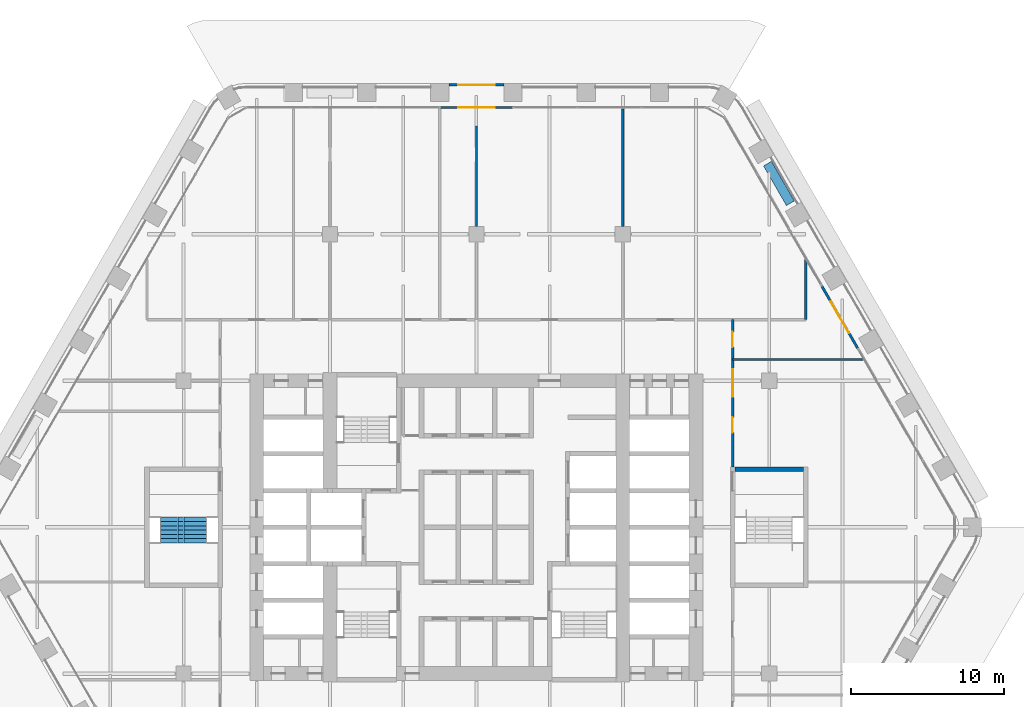
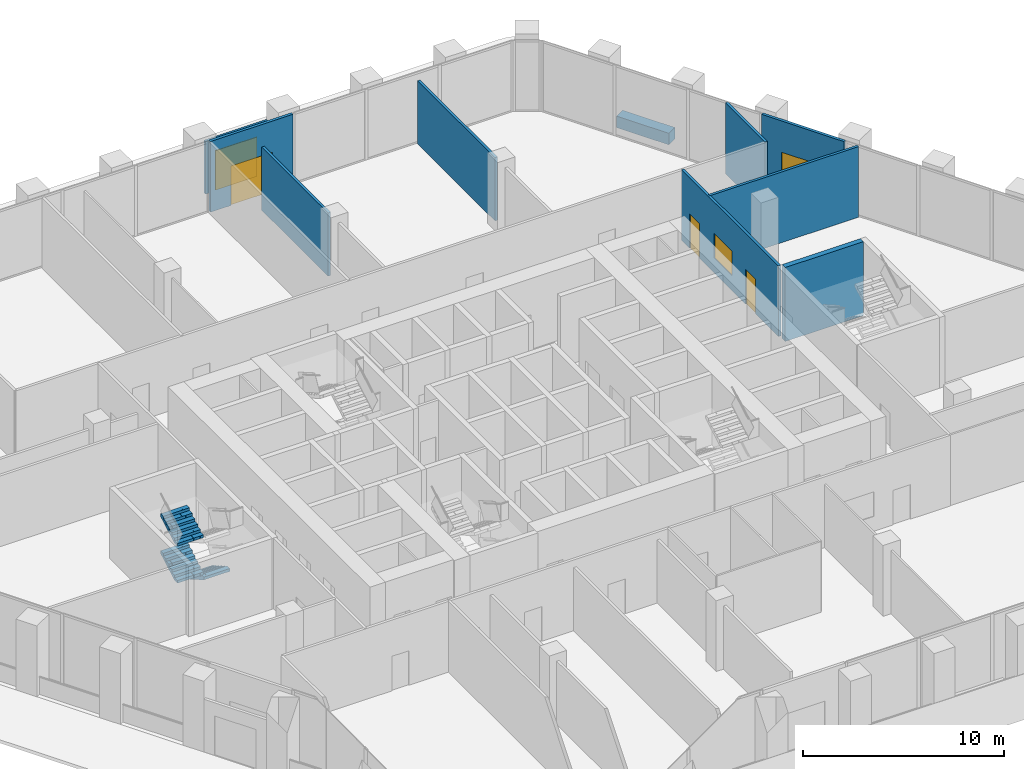
# One storey, part 17 of 23: 10 walls, 5 doors, 3 stair flights, 1 window, 6 openings, 1 element without a shape of its own.
"""IFC4 building model written with IfcOpenShell, lengths in metres."""

from ifc_helpers import new_model, si_unit, direction, frame, frame_2d, origin, place, context, subcontext, project, spatial, polyline, rectangle, outline, extrude, material, layer, layer_set, type_object, element, fill, aggregate, save


model = new_model("IFC4")

# Units and contexts
model_context = context("Model", 3, precision=1e-05, world=origin(), true_north=direction((0.0, 1.0)))
body_context = subcontext(model_context, "Body", "Model", "MODEL_VIEW")
ifc_project = project(units=[si_unit("LENGTHUNIT", "METRE"), si_unit("AREAUNIT", "SQUARE_METRE"), si_unit("VOLUMEUNIT", "CUBIC_METRE"), si_unit("PLANEANGLEUNIT", "RADIAN"), si_unit("MASSUNIT", "GRAM", prefix="KILO")], contexts=[model_context])

# Site, building, storey
site_placement = place(None, origin())
site = spatial("IfcSite", under=ifc_project, at=site_placement, CompositionType="ELEMENT")
building_placement = place(site_placement, origin())
building = spatial("IfcBuilding", under=site, at=building_placement, Name="Kolab Exchange Tower", CompositionType="ELEMENT")
storey_placement = place(building_placement, frame((0.0, 0.0, 77.89990234375)))
storey = spatial("IfcBuildingStorey", under=building, at=storey_placement, Name="L14", CompositionType="ELEMENT", Elevation=77.89990234375)

# Wall, opening, door
ifc_material_1 = material(Name="Aluminium EN AW-6063 T6", Category="aluminium")
ifc_layer_1 = layer(ifc_material_1, 0.159912109375)
ifc_layer_set_1 = layer_set([ifc_layer_1], Name="Aluminium EN AW-6063 T6")
wall_type_1 = type_object("IfcWallType", Name="DOOR SURROUND WALL 160 ALUMINIUM FRAMED", PredefinedType="PARTITIONING", material=ifc_layer_set_1)
wall_1_placement = place(storey_placement, frame((-2.3701171875, 27.5185546875, 0.0), z_axis=(0.0, 0.0, 1.0), x_axis=(1.0, 0.0, 0.0)))
wall_1 = element("IfcWall", 1, at=wall_1_placement, inside=storey, type_object=wall_type_1, Name="Door surround wall", PredefinedType="PARTITIONING", context=body_context, shape_type="SweptSolid", body=[
    extrude(rectangle(XDim=4.740234375, YDim=0.159912109375, at=frame_2d((2.3701171875, 0.0))), origin(), (0.0, 0.0, 1.0), 4.300048828125),
])
opening_1_placement = place(wall_1_placement, frame((1.169921875, 0.0, 0.0)))
opening_1 = element("IfcOpeningElement", 2, at=opening_1_placement, cuts=wall_1, Name="Opening GD1-034", PredefinedType="OPENING", context=body_context, shape_type="SweptSolid", body=[
    extrude(rectangle(XDim=2.39990234375, YDim=2.39990234375, at=frame_2d((1.199951171875, 1.199951171875))), frame((0.0, 0.08984375, 0.0), z_axis=(0.0, -1.0, 0.0), x_axis=(1.0, 0.0, 0.0)), (0.0, 0.0, 1.0), 0.179931640625),
])
door_type_1 = type_object("IfcDoorType", Name="LOGGIA SLIDING GLASS DOOR 2400 X 2400", OperationType="DOUBLE_DOOR_SINGLE_SWING", PredefinedType="DOOR", material=ifc_material_1)
door_1_placement = place(opening_1_placement, origin())
door_1 = element("IfcDoor", 3, at=door_1_placement, inside=storey, type_object=door_type_1, Name="Loggia door", OperationType="DOUBLE_DOOR_SLIDING", OverallHeight=2.39990234375, OverallWidth=2.39990234375, PredefinedType="DOOR", context=body_context, shape_type="SweptSolid", body=[
    extrude(rectangle(XDim=2.39990234375, YDim=2.39990234375, at=frame_2d((1.199951171875, 1.199951171875))), frame((0.0, 0.02490234375, 0.0), z_axis=(0.0, -1.0, 0.0), x_axis=(1.0, 0.0, 0.0)), (0.0, 0.0, 1.0), 0.050048828125),
])
fill(opening_1, door_1)

wall_2_placement = place(storey_placement, frame((22.646728515625, 15.811767578125, 0.0), z_axis=(0.0, 0.0, 1.0), x_axis=(0.499978080042, -0.866038058908, 0.0)))
wall_2 = element("IfcWall", 4, at=wall_2_placement, inside=storey, type_object=wall_type_1, Name="Door surround wall", PredefinedType="PARTITIONING", context=body_context, shape_type="SweptSolid", body=[
    extrude(rectangle(XDim=4.739990234375, YDim=0.159912109375, at=frame_2d((2.3701171875, 0.0))), origin(), (0.0, 0.0, 1.0), 4.300048828125),
])
opening_2_placement = place(wall_2_placement, frame((1.169921875, 0.0, 0.0)))
opening_2 = element("IfcOpeningElement", 5, at=opening_2_placement, cuts=wall_2, Name="Opening GD1-035", PredefinedType="OPENING", context=body_context, shape_type="SweptSolid", body=[
    extrude(rectangle(XDim=2.39990234375, YDim=2.39990234375, at=frame_2d((1.199951171875, 1.199951171875))), frame((0.0, 0.08984375, 0.0), z_axis=(0.0, -1.0, 0.0), x_axis=(1.0, 0.0, 0.0)), (0.0, 0.0, 1.0), 0.179931640625),
])
door_2_placement = place(opening_2_placement, origin())
door_2 = element("IfcDoor", 6, at=door_2_placement, inside=storey, type_object=door_type_1, Name="Loggia door", OperationType="DOUBLE_DOOR_SLIDING", OverallHeight=2.39990234375, OverallWidth=2.39990234375, PredefinedType="DOOR", context=body_context, shape_type="SweptSolid", body=[
    extrude(rectangle(XDim=2.39990234375, YDim=2.39990234375, at=frame_2d((1.199951171875, 1.199951171875))), frame((0.0, 0.02490234375, 0.0), z_axis=(0.0, -1.0, 0.0), x_axis=(1.0, 0.0, 0.0)), (0.0, 0.0, 1.0), 0.050048828125),
])
fill(opening_2, door_2)

wall_3_placement = place(storey_placement, frame((-1.798095703125, 28.99853515625, 0.0), z_axis=(0.0, 0.0, 1.0), x_axis=(1.0, 0.0, 0.0)))
wall_3 = element("IfcWall", 7, at=wall_3_placement, inside=storey, type_object=wall_type_1, Name="Door surround wall", PredefinedType="PARTITIONING", context=body_context, shape_type="SweptSolid", body=[
    extrude(rectangle(XDim=3.59619140625, YDim=0.159912109375, at=frame_2d((1.798095703125, 0.0))), origin(), (0.0, 0.0, 1.0), 3.2001953125),
])
opening_3_placement = place(wall_3_placement, frame((0.597900390625, 0.0, 0.0)))
opening_3 = element("IfcOpeningElement", 8, at=opening_3_placement, cuts=wall_3, Name="Opening GD1-040", PredefinedType="OPENING", context=body_context, shape_type="SweptSolid", body=[
    extrude(rectangle(XDim=2.39990234375, YDim=2.39990234375, at=frame_2d((1.199951171875, 1.199951171875))), frame((0.0, 0.08984375, 0.0), z_axis=(0.0, -1.0, 0.0), x_axis=(1.0, 0.0, 0.0)), (0.0, 0.0, 1.0), 0.179931640625),
])
door_3_placement = place(opening_3_placement, origin())
door_3 = element("IfcDoor", 9, at=door_3_placement, inside=storey, type_object=door_type_1, Name="Terrace door", OperationType="DOUBLE_DOOR_SLIDING", OverallHeight=2.39990234375, OverallWidth=2.39990234375, PredefinedType="DOOR", context=body_context, shape_type="SweptSolid", body=[
    extrude(rectangle(XDim=2.39990234375, YDim=2.39990234375, at=frame_2d((1.199951171875, 1.199951171875))), frame((0.0, 0.02490234375, 0.0), z_axis=(0.0, -1.0, 0.0), x_axis=(1.0, 0.0, 0.0)), (0.0, 0.0, 1.0), 0.050048828125),
])
fill(opening_3, door_3)

# Wall
ifc_material_2 = material(Name="Gypsum board", Category="gypsum")
ifc_layer_2 = layer(ifc_material_2, 0.14990234375)
ifc_layer_set_2 = layer_set([ifc_layer_2], Name="Gypsum board")
wall_type_2 = type_object("IfcWallType", Name="PARTITION 150 FIRE-RATED", PredefinedType="PARTITIONING", material=ifc_layer_set_2)
wall_4_placement = place(storey_placement, frame((21.60009765625, 13.60009765625, 0.0), z_axis=(0.0, 0.0, 1.0), x_axis=(0.0, 1.0, 0.0)))
element("IfcWall", 10, at=wall_4_placement, inside=storey, type_object=wall_type_2, Name="Partition 001", PredefinedType="PARTITIONING", context=body_context, shape_type="SweptSolid", body=[
    extrude(rectangle(XDim=3.944580078125, YDim=0.14990234375, at=frame_2d((1.97216796875, 0.0))), origin(), (0.0, 0.0, 1.0), 4.300048828125),
])

# Wall, openings, doors, window
wall_5_placement = place(storey_placement, frame((16.800048828125, 3.949951171875, 0.0), z_axis=(0.0, 0.0, 1.0), x_axis=(0.0, 1.0, 0.0)))
wall_5 = element("IfcWall", 11, at=wall_5_placement, inside=storey, type_object=wall_type_2, Name="Partition 003", PredefinedType="PARTITIONING", context=body_context, shape_type="SweptSolid", body=[
    extrude(rectangle(XDim=9.650146484375, YDim=0.14990234375, at=frame_2d((4.8251953125, 0.0))), origin(), (0.0, 0.0, 1.0), 4.300048828125),
])
opening_4_placement = place(wall_5_placement, frame((2.25, 0.0, 0.0)))
opening_4 = element("IfcOpeningElement", 12, at=opening_4_placement, cuts=wall_5, Name="Opening D1-214", PredefinedType="OPENING", context=body_context, shape_type="SweptSolid", body=[
    extrude(rectangle(XDim=1.0, YDim=2.10009765625, at=frame_2d((0.5, 1.050048828125))), frame((0.0, 0.0849609375, 0.0), z_axis=(0.0, -1.0, 0.0), x_axis=(1.0, 0.0, 0.0)), (0.0, 0.0, 1.0), 0.169921875),
])
opening_5_placement = place(wall_5_placement, frame((7.85009765625, 0.0, 0.0)))
opening_5 = element("IfcOpeningElement", 13, at=opening_5_placement, cuts=wall_5, Name="Opening D1-215", PredefinedType="OPENING", context=body_context, shape_type="SweptSolid", body=[
    extrude(rectangle(XDim=1.0, YDim=2.10009765625, at=frame_2d((0.5, 1.050048828125))), frame((0.0, 0.0849609375, 0.0), z_axis=(0.0, -1.0, 0.0), x_axis=(1.0, 0.0, 0.0)), (0.0, 0.0, 1.0), 0.169921875),
])
opening_6_placement = place(wall_5_placement, frame((4.60009765625, 0.0, 0.89990234375)))
opening_6 = element("IfcOpeningElement", 14, at=opening_6_placement, cuts=wall_5, Name="Opening W1-007", PredefinedType="OPENING", context=body_context, shape_type="SweptSolid", body=[
    extrude(rectangle(XDim=1.800048828125, YDim=1.5, at=frame_2d((0.89990234375, 0.75))), frame((0.0, 0.0849609375, 0.0), z_axis=(0.0, -1.0, 0.0), x_axis=(1.0, 0.0, 0.0)), (0.0, 0.0, 1.0), 0.169921875),
])
ifc_material_3 = material(Name="Steel S235", Category="steel")
door_type_2 = type_object("IfcDoorType", Name="FLUSH DOOR 1000 FD60", OperationType="SINGLE_SWING_LEFT", PredefinedType="DOOR", material=ifc_material_3)
door_4_placement = place(opening_4_placement, frame((1.0, 0.0, 0.0), z_axis=(0.0, 0.0, 1.0), x_axis=(-1.0, 0.0, 0.0)))
door_4 = element("IfcDoor", 15, at=door_4_placement, inside=storey, type_object=door_type_2, Name="Door L14-064", OperationType="SINGLE_SWING_LEFT", OverallHeight=2.10009765625, OverallWidth=1.0, PredefinedType="DOOR", context=body_context, shape_type="SweptSolid", body=[
    extrude(rectangle(XDim=1.0, YDim=2.10009765625, at=frame_2d((0.5, 1.050048828125))), frame((0.0, 0.02490234375, 0.0), z_axis=(0.0, -1.0, 0.0), x_axis=(1.0, 0.0, 0.0)), (0.0, 0.0, 1.0), 0.050048828125),
])
fill(opening_4, door_4)
door_5_placement = place(opening_5_placement, frame((1.0, 0.0, 0.0), z_axis=(0.0, 0.0, 1.0), x_axis=(-1.0, 0.0, 0.0)))
door_5 = element("IfcDoor", 16, at=door_5_placement, inside=storey, type_object=door_type_2, Name="Door L14-065", OperationType="SINGLE_SWING_RIGHT", OverallHeight=2.10009765625, OverallWidth=1.0, PredefinedType="DOOR", context=body_context, shape_type="SweptSolid", body=[
    extrude(rectangle(XDim=1.0, YDim=2.10009765625, at=frame_2d((0.5, 1.050048828125))), frame((0.0, 0.02490234375, 0.0), z_axis=(0.0, -1.0, 0.0), x_axis=(1.0, 0.0, 0.0)), (0.0, 0.0, 1.0), 0.050048828125),
])
fill(opening_5, door_5)
ifc_material_4 = material(Name="Fire-rated glazing", Category="glass")
window_type = type_object("IfcWindowType", Name="OBSERVATION WINDOW 1800 X 1500 EI 60", PartitioningType="SINGLE_PANEL", PredefinedType="WINDOW", material=ifc_material_4)
window_placement = place(opening_6_placement, origin())
window = element("IfcWindow", 17, at=window_placement, inside=storey, type_object=window_type, Name="Viewing window L14-1", OverallHeight=1.5, OverallWidth=1.800048828125, PartitioningType="SINGLE_PANEL", PredefinedType="WINDOW", context=body_context, shape_type="SweptSolid", body=[
    extrude(rectangle(XDim=1.800048828125, YDim=1.5, at=frame_2d((0.89990234375, 0.75))), frame((0.0, 0.030029296875, 0.0), z_axis=(0.0, -1.0, 0.0), x_axis=(1.0, 0.0, 0.0)), (0.0, 0.0, 1.0), 0.06005859375),
])
fill(opening_6, window)

# Walls
wall_6_placement = place(storey_placement, frame((9.60009765625, 19.699951171875, 0.0), z_axis=(0.0, 0.0, 1.0), x_axis=(0.0, 1.0, 0.0)))
element("IfcWall", 18, at=wall_6_placement, inside=storey, type_object=wall_type_2, Name="Partition 010", PredefinedType="PARTITIONING", context=body_context, shape_type="SweptSolid", body=[
    extrude(rectangle(XDim=7.728515625, YDim=0.14990234375, at=frame_2d((3.8642578125, 0.0))), origin(), (0.0, 0.0, 1.0), 3.843017578125),
])
wall_7_placement = place(storey_placement, frame((0.0, 19.699951171875, 0.0), z_axis=(0.0, 0.0, 1.0), x_axis=(0.0, 1.0, 0.0)))
element("IfcWall", 19, at=wall_7_placement, inside=storey, type_object=wall_type_2, Name="Partition 017", PredefinedType="PARTITIONING", context=body_context, shape_type="SweptSolid", body=[
    extrude(rectangle(XDim=6.61865234375, YDim=0.14990234375, at=frame_2d((3.309326171875, 0.0))), origin(), (0.0, 0.0, 1.0), 3.843017578125),
])
wall_8_placement = place(storey_placement, frame((16.800048828125, 11.0, 0.0), z_axis=(0.0, 0.0, 1.0), x_axis=(1.0, 0.0, 0.0)))
element("IfcWall", 20, at=wall_8_placement, inside=storey, type_object=wall_type_2, Name="Partition 046", PredefinedType="PARTITIONING", context=body_context, shape_type="SweptSolid", body=[
    extrude(rectangle(XDim=8.578369140625, YDim=0.14990234375, at=frame_2d((4.2890625, 0.0))), origin(), (0.0, 0.0, 1.0), 4.300048828125),
])
ifc_material_5 = material(Name="Granite facing", Category="masonry")
ifc_layer_3 = layer(ifc_material_5, 0.0400390625)
ifc_material_6 = material(Name="Concrete C40/50 precast", Category="concrete")
ifc_layer_4 = layer(ifc_material_6, 0.56005859375)
ifc_layer_set_3 = layer_set([ifc_layer_3, ifc_layer_4], Name="Concrete C40/50 precast")
wall_type_3 = type_object("IfcWallType", Name="PLANTER BOX 600 X 700 SOIL DEPTH 550", PredefinedType="USERDEFINED", material=ifc_layer_set_3)
wall_9_placement = place(storey_placement, frame((19.087158203125, 23.837158203125, 0.0), z_axis=(0.0, 0.0, 1.0), x_axis=(0.499990139034, -0.866031096941, 0.0)))
element("IfcWall", 21, at=wall_9_placement, inside=storey, type_object=wall_type_3, Name="Planter", ObjectType="PLANTER", PredefinedType="USERDEFINED", context=body_context, shape_type="SweptSolid", body=[
    extrude(rectangle(XDim=3.0, YDim=0.60009765625, at=frame_2d((1.5, 0.0))), origin(), (0.0, 0.0, 1.0), 0.7001953125),
])
ifc_material_7 = material(Name="Concrete C50/60", Category="concrete")
ifc_layer_5 = layer(ifc_material_7, 0.300048828125)
ifc_layer_set_4 = layer_set([ifc_layer_5], Name="Concrete C50/60")
wall_type_4 = type_object("IfcWallType", Name="STAIR ENCLOSURE WALL 300 C50/60", PredefinedType="STANDARD", material=ifc_layer_set_4)
wall_10_placement = place(storey_placement, frame((16.949951171875, 3.800048828125, -0.199951171875), z_axis=(0.0, 0.0, 1.0), x_axis=(1.0, 0.0, 0.0)))
element("IfcWall", 22, at=wall_10_placement, inside=storey, type_object=wall_type_4, Name="wall/L14/core/041", PredefinedType="STANDARD", context=body_context, shape_type="SweptSolid", body=[
    extrude(rectangle(XDim=4.5, YDim=0.300048828125, at=frame_2d((2.25, 0.0))), origin(), (0.0, 0.0, 1.0), 4.5),
])

# Stair, stair flights
stair_type = type_object("IfcStairType", Name="STAIR ST5 RISER 160.7", PredefinedType="DOUBLE_RETURN_STAIR", material=ifc_material_7)
stair_placement = place(storey_placement, origin())
stair = element("IfcStair", 23, at=stair_placement, inside=storey, type_object=stair_type, Name="Stair 5", PredefinedType="DOUBLE_RETURN_STAIR")
stair_flight_type = type_object("IfcStairFlightType", Name="STAIR FLIGHT 1500 RISER 160.7", PredefinedType="STRAIGHT", material=ifc_material_7)
stair_flight_1_placement = place(storey_placement, frame((-18.43994140625, 0.64990234375, 0.0), z_axis=(0.0, 0.0, 1.0), x_axis=(0.0, -1.0, 0.0)))
stair_flight_1 = element("IfcStairFlight", 24, at=stair_flight_1_placement, type_object=stair_flight_type, Name="ST5 flight 1", NumberOfRisers=7, NumberOfTreads=6, PredefinedType="STRAIGHT", RiserHeight=0.160714286, TreadLength=0.28, context=body_context, shape_type="SweptSolid", body=[
    extrude(outline(polyline([(0.0, 0.0), (0.0, 0.16064453125), (0.280029296875, 0.16064453125), (0.280029296875, 0.321533203125), (0.56005859375, 0.321533203125), (0.56005859375, 0.482177734375), (0.840087890625, 0.482177734375), (0.840087890625, 0.642822265625), (1.1201171875, 0.642822265625), (1.1201171875, 0.803466796875), (1.39990234375, 0.803466796875), (1.39990234375, 0.96435546875), (1.679931640625, 0.96435546875), (1.679931640625, 1.125), (1.679931640625, 0.79150390625), (0.301025390625, 0.0), (0.0, 0.0)])), frame((0.0, 0.75, 0.0), z_axis=(0.0, -1.0, 0.0), x_axis=(1.0, 0.0, 0.0)), (0.0, 0.0, 1.0), 0.185791015625),
    extrude(outline(polyline([(0.0, 0.0), (0.0, 0.16064453125), (0.280029296875, 0.16064453125), (0.280029296875, 0.321533203125), (0.56005859375, 0.321533203125), (0.56005859375, 0.482177734375), (0.840087890625, 0.482177734375), (0.840087890625, 0.642822265625), (1.1201171875, 0.642822265625), (1.1201171875, 0.803466796875), (1.39990234375, 0.803466796875), (1.39990234375, 0.96435546875), (1.679931640625, 0.96435546875), (1.679931640625, 1.125), (1.679931640625, 0.79150390625), (0.301025390625, 0.0), (0.0, 0.0)])), frame((0.0, 0.562255859375, 0.0), z_axis=(0.0, -1.0, 0.0), x_axis=(1.0, 0.0, 0.0)), (0.0, 0.0, 1.0), 0.185791015625),
    extrude(outline(polyline([(0.0, 0.0), (0.0, 0.16064453125), (0.280029296875, 0.16064453125), (0.280029296875, 0.321533203125), (0.56005859375, 0.321533203125), (0.56005859375, 0.482177734375), (0.840087890625, 0.482177734375), (0.840087890625, 0.642822265625), (1.1201171875, 0.642822265625), (1.1201171875, 0.803466796875), (1.39990234375, 0.803466796875), (1.39990234375, 0.96435546875), (1.679931640625, 0.96435546875), (1.679931640625, 1.125), (1.679931640625, 0.79150390625), (0.301025390625, 0.0), (0.0, 0.0)])), frame((0.0, 0.37451171875, 0.0), z_axis=(0.0, -1.0, 0.0), x_axis=(1.0, 0.0, 0.0)), (0.0, 0.0, 1.0), 0.185791015625),
    extrude(outline(polyline([(0.0, 0.0), (0.0, 0.16064453125), (0.280029296875, 0.16064453125), (0.280029296875, 0.321533203125), (0.56005859375, 0.321533203125), (0.56005859375, 0.482177734375), (0.840087890625, 0.482177734375), (0.840087890625, 0.642822265625), (1.1201171875, 0.642822265625), (1.1201171875, 0.803466796875), (1.39990234375, 0.803466796875), (1.39990234375, 0.96435546875), (1.679931640625, 0.96435546875), (1.679931640625, 1.125), (1.679931640625, 0.79150390625), (0.301025390625, 0.0), (0.0, 0.0)])), frame((0.0, 0.186767578125, 0.0), z_axis=(0.0, -1.0, 0.0), x_axis=(1.0, 0.0, 0.0)), (0.0, 0.0, 1.0), 0.185791015625),
    extrude(outline(polyline([(0.0, 0.0), (0.0, 0.16064453125), (0.280029296875, 0.16064453125), (0.280029296875, 0.321533203125), (0.56005859375, 0.321533203125), (0.56005859375, 0.482177734375), (0.840087890625, 0.482177734375), (0.840087890625, 0.642822265625), (1.1201171875, 0.642822265625), (1.1201171875, 0.803466796875), (1.39990234375, 0.803466796875), (1.39990234375, 0.96435546875), (1.679931640625, 0.96435546875), (1.679931640625, 1.125), (1.679931640625, 0.79150390625), (0.301025390625, 0.0), (0.0, 0.0)])), frame((0.0, -0.0009765625, 0.0), z_axis=(0.0, -1.0, 0.0), x_axis=(1.0, 0.0, 0.0)), (0.0, 0.0, 1.0), 0.185791015625),
    extrude(outline(polyline([(0.0, 0.0), (0.0, 0.16064453125), (0.280029296875, 0.16064453125), (0.280029296875, 0.321533203125), (0.56005859375, 0.321533203125), (0.56005859375, 0.482177734375), (0.840087890625, 0.482177734375), (0.840087890625, 0.642822265625), (1.1201171875, 0.642822265625), (1.1201171875, 0.803466796875), (1.39990234375, 0.803466796875), (1.39990234375, 0.96435546875), (1.679931640625, 0.96435546875), (1.679931640625, 1.125), (1.679931640625, 0.79150390625), (0.301025390625, 0.0), (0.0, 0.0)])), frame((0.0, -0.188720703125, 0.0), z_axis=(0.0, -1.0, 0.0), x_axis=(1.0, 0.0, 0.0)), (0.0, 0.0, 1.0), 0.185791015625),
    extrude(outline(polyline([(0.0, 0.0), (0.0, 0.16064453125), (0.280029296875, 0.16064453125), (0.280029296875, 0.321533203125), (0.56005859375, 0.321533203125), (0.56005859375, 0.482177734375), (0.840087890625, 0.482177734375), (0.840087890625, 0.642822265625), (1.1201171875, 0.642822265625), (1.1201171875, 0.803466796875), (1.39990234375, 0.803466796875), (1.39990234375, 0.96435546875), (1.679931640625, 0.96435546875), (1.679931640625, 1.125), (1.679931640625, 0.79150390625), (0.301025390625, 0.0), (0.0, 0.0)])), frame((0.0, -0.37646484375, 0.0), z_axis=(0.0, -1.0, 0.0), x_axis=(1.0, 0.0, 0.0)), (0.0, 0.0, 1.0), 0.185791015625),
    extrude(outline(polyline([(0.0, 0.0), (0.0, 0.16064453125), (0.280029296875, 0.16064453125), (0.280029296875, 0.321533203125), (0.56005859375, 0.321533203125), (0.56005859375, 0.482177734375), (0.840087890625, 0.482177734375), (0.840087890625, 0.642822265625), (1.1201171875, 0.642822265625), (1.1201171875, 0.803466796875), (1.39990234375, 0.803466796875), (1.39990234375, 0.96435546875), (1.679931640625, 0.96435546875), (1.679931640625, 1.125), (1.679931640625, 0.79150390625), (0.301025390625, 0.0), (0.0, 0.0)])), frame((0.0, -0.564208984375, 0.0), z_axis=(0.0, -1.0, 0.0), x_axis=(1.0, 0.0, 0.0)), (0.0, 0.0, 1.0), 0.185791015625),
])
stair_flight_2_placement = place(storey_placement, frame((-19.9599609375, -1.030029296875, 1.125), z_axis=(0.0, 0.0, 1.0), x_axis=(0.0, 1.0, 0.0)))
stair_flight_2 = element("IfcStairFlight", 25, at=stair_flight_2_placement, type_object=stair_flight_type, Name="ST5 flight 2", NumberOfRisers=7, NumberOfTreads=6, PredefinedType="STRAIGHT", RiserHeight=0.160714286, TreadLength=0.28, context=body_context, shape_type="SweptSolid", body=[
    extrude(outline(polyline([(0.0, 0.0), (0.0, 0.16064453125), (0.280029296875, 0.16064453125), (0.280029296875, 0.321533203125), (0.56005859375, 0.321533203125), (0.56005859375, 0.482177734375), (0.840087890625, 0.482177734375), (0.840087890625, 0.642822265625), (1.1201171875, 0.642822265625), (1.1201171875, 0.803466796875), (1.39990234375, 0.803466796875), (1.39990234375, 0.96435546875), (1.679931640625, 0.96435546875), (1.679931640625, 1.125), (1.679931640625, 0.79150390625), (0.301025390625, 0.0), (0.0, 0.0)])), frame((0.0, 0.75, 0.0), z_axis=(0.0, -1.0, 0.0), x_axis=(1.0, 0.0, 0.0)), (0.0, 0.0, 1.0), 0.185791015625),
    extrude(outline(polyline([(0.0, 0.0), (0.0, 0.16064453125), (0.280029296875, 0.16064453125), (0.280029296875, 0.321533203125), (0.56005859375, 0.321533203125), (0.56005859375, 0.482177734375), (0.840087890625, 0.482177734375), (0.840087890625, 0.642822265625), (1.1201171875, 0.642822265625), (1.1201171875, 0.803466796875), (1.39990234375, 0.803466796875), (1.39990234375, 0.96435546875), (1.679931640625, 0.96435546875), (1.679931640625, 1.125), (1.679931640625, 0.79150390625), (0.301025390625, 0.0), (0.0, 0.0)])), frame((0.0, 0.562255859375, 0.0), z_axis=(0.0, -1.0, 0.0), x_axis=(1.0, 0.0, 0.0)), (0.0, 0.0, 1.0), 0.185791015625),
    extrude(outline(polyline([(0.0, 0.0), (0.0, 0.16064453125), (0.280029296875, 0.16064453125), (0.280029296875, 0.321533203125), (0.56005859375, 0.321533203125), (0.56005859375, 0.482177734375), (0.840087890625, 0.482177734375), (0.840087890625, 0.642822265625), (1.1201171875, 0.642822265625), (1.1201171875, 0.803466796875), (1.39990234375, 0.803466796875), (1.39990234375, 0.96435546875), (1.679931640625, 0.96435546875), (1.679931640625, 1.125), (1.679931640625, 0.79150390625), (0.301025390625, 0.0), (0.0, 0.0)])), frame((0.0, 0.37451171875, 0.0), z_axis=(0.0, -1.0, 0.0), x_axis=(1.0, 0.0, 0.0)), (0.0, 0.0, 1.0), 0.185791015625),
    extrude(outline(polyline([(0.0, 0.0), (0.0, 0.16064453125), (0.280029296875, 0.16064453125), (0.280029296875, 0.321533203125), (0.56005859375, 0.321533203125), (0.56005859375, 0.482177734375), (0.840087890625, 0.482177734375), (0.840087890625, 0.642822265625), (1.1201171875, 0.642822265625), (1.1201171875, 0.803466796875), (1.39990234375, 0.803466796875), (1.39990234375, 0.96435546875), (1.679931640625, 0.96435546875), (1.679931640625, 1.125), (1.679931640625, 0.79150390625), (0.301025390625, 0.0), (0.0, 0.0)])), frame((0.0, 0.186767578125, 0.0), z_axis=(0.0, -1.0, 0.0), x_axis=(1.0, 0.0, 0.0)), (0.0, 0.0, 1.0), 0.185791015625),
    extrude(outline(polyline([(0.0, 0.0), (0.0, 0.16064453125), (0.280029296875, 0.16064453125), (0.280029296875, 0.321533203125), (0.56005859375, 0.321533203125), (0.56005859375, 0.482177734375), (0.840087890625, 0.482177734375), (0.840087890625, 0.642822265625), (1.1201171875, 0.642822265625), (1.1201171875, 0.803466796875), (1.39990234375, 0.803466796875), (1.39990234375, 0.96435546875), (1.679931640625, 0.96435546875), (1.679931640625, 1.125), (1.679931640625, 0.79150390625), (0.301025390625, 0.0), (0.0, 0.0)])), frame((0.0, -0.0009765625, 0.0), z_axis=(0.0, -1.0, 0.0), x_axis=(1.0, 0.0, 0.0)), (0.0, 0.0, 1.0), 0.185791015625),
    extrude(outline(polyline([(0.0, 0.0), (0.0, 0.16064453125), (0.280029296875, 0.16064453125), (0.280029296875, 0.321533203125), (0.56005859375, 0.321533203125), (0.56005859375, 0.482177734375), (0.840087890625, 0.482177734375), (0.840087890625, 0.642822265625), (1.1201171875, 0.642822265625), (1.1201171875, 0.803466796875), (1.39990234375, 0.803466796875), (1.39990234375, 0.96435546875), (1.679931640625, 0.96435546875), (1.679931640625, 1.125), (1.679931640625, 0.79150390625), (0.301025390625, 0.0), (0.0, 0.0)])), frame((0.0, -0.188720703125, 0.0), z_axis=(0.0, -1.0, 0.0), x_axis=(1.0, 0.0, 0.0)), (0.0, 0.0, 1.0), 0.185791015625),
    extrude(outline(polyline([(0.0, 0.0), (0.0, 0.16064453125), (0.280029296875, 0.16064453125), (0.280029296875, 0.321533203125), (0.56005859375, 0.321533203125), (0.56005859375, 0.482177734375), (0.840087890625, 0.482177734375), (0.840087890625, 0.642822265625), (1.1201171875, 0.642822265625), (1.1201171875, 0.803466796875), (1.39990234375, 0.803466796875), (1.39990234375, 0.96435546875), (1.679931640625, 0.96435546875), (1.679931640625, 1.125), (1.679931640625, 0.79150390625), (0.301025390625, 0.0), (0.0, 0.0)])), frame((0.0, -0.37646484375, 0.0), z_axis=(0.0, -1.0, 0.0), x_axis=(1.0, 0.0, 0.0)), (0.0, 0.0, 1.0), 0.185791015625),
    extrude(outline(polyline([(0.0, 0.0), (0.0, 0.16064453125), (0.280029296875, 0.16064453125), (0.280029296875, 0.321533203125), (0.56005859375, 0.321533203125), (0.56005859375, 0.482177734375), (0.840087890625, 0.482177734375), (0.840087890625, 0.642822265625), (1.1201171875, 0.642822265625), (1.1201171875, 0.803466796875), (1.39990234375, 0.803466796875), (1.39990234375, 0.96435546875), (1.679931640625, 0.96435546875), (1.679931640625, 1.125), (1.679931640625, 0.79150390625), (0.301025390625, 0.0), (0.0, 0.0)])), frame((0.0, -0.564208984375, 0.0), z_axis=(0.0, -1.0, 0.0), x_axis=(1.0, 0.0, 0.0)), (0.0, 0.0, 1.0), 0.185791015625),
])
stair_flight_3_placement = place(storey_placement, frame((-19.9599609375, -1.030029296875, 3.375), z_axis=(0.0, 0.0, 1.0), x_axis=(0.0, 1.0, 0.0)))
stair_flight_3 = element("IfcStairFlight", 26, at=stair_flight_3_placement, type_object=stair_flight_type, Name="ST5 flight 4", NumberOfRisers=7, NumberOfTreads=6, PredefinedType="STRAIGHT", RiserHeight=0.160714286, TreadLength=0.28, context=body_context, shape_type="SweptSolid", body=[
    extrude(outline(polyline([(0.0, 0.0), (0.0, 0.16064453125), (0.280029296875, 0.16064453125), (0.280029296875, 0.321533203125), (0.56005859375, 0.321533203125), (0.56005859375, 0.482177734375), (0.840087890625, 0.482177734375), (0.840087890625, 0.642822265625), (1.1201171875, 0.642822265625), (1.1201171875, 0.803466796875), (1.39990234375, 0.803466796875), (1.39990234375, 0.96435546875), (1.679931640625, 0.96435546875), (1.679931640625, 1.125), (1.679931640625, 0.79150390625), (0.301025390625, 0.0), (0.0, 0.0)])), frame((0.0, 0.75, 0.0), z_axis=(0.0, -1.0, 0.0), x_axis=(1.0, 0.0, 0.0)), (0.0, 0.0, 1.0), 0.185791015625),
    extrude(outline(polyline([(0.0, 0.0), (0.0, 0.16064453125), (0.280029296875, 0.16064453125), (0.280029296875, 0.321533203125), (0.56005859375, 0.321533203125), (0.56005859375, 0.482177734375), (0.840087890625, 0.482177734375), (0.840087890625, 0.642822265625), (1.1201171875, 0.642822265625), (1.1201171875, 0.803466796875), (1.39990234375, 0.803466796875), (1.39990234375, 0.96435546875), (1.679931640625, 0.96435546875), (1.679931640625, 1.125), (1.679931640625, 0.79150390625), (0.301025390625, 0.0), (0.0, 0.0)])), frame((0.0, 0.562255859375, 0.0), z_axis=(0.0, -1.0, 0.0), x_axis=(1.0, 0.0, 0.0)), (0.0, 0.0, 1.0), 0.185791015625),
    extrude(outline(polyline([(0.0, 0.0), (0.0, 0.16064453125), (0.280029296875, 0.16064453125), (0.280029296875, 0.321533203125), (0.56005859375, 0.321533203125), (0.56005859375, 0.482177734375), (0.840087890625, 0.482177734375), (0.840087890625, 0.642822265625), (1.1201171875, 0.642822265625), (1.1201171875, 0.803466796875), (1.39990234375, 0.803466796875), (1.39990234375, 0.96435546875), (1.679931640625, 0.96435546875), (1.679931640625, 1.125), (1.679931640625, 0.79150390625), (0.301025390625, 0.0), (0.0, 0.0)])), frame((0.0, 0.37451171875, 0.0), z_axis=(0.0, -1.0, 0.0), x_axis=(1.0, 0.0, 0.0)), (0.0, 0.0, 1.0), 0.185791015625),
    extrude(outline(polyline([(0.0, 0.0), (0.0, 0.16064453125), (0.280029296875, 0.16064453125), (0.280029296875, 0.321533203125), (0.56005859375, 0.321533203125), (0.56005859375, 0.482177734375), (0.840087890625, 0.482177734375), (0.840087890625, 0.642822265625), (1.1201171875, 0.642822265625), (1.1201171875, 0.803466796875), (1.39990234375, 0.803466796875), (1.39990234375, 0.96435546875), (1.679931640625, 0.96435546875), (1.679931640625, 1.125), (1.679931640625, 0.79150390625), (0.301025390625, 0.0), (0.0, 0.0)])), frame((0.0, 0.186767578125, 0.0), z_axis=(0.0, -1.0, 0.0), x_axis=(1.0, 0.0, 0.0)), (0.0, 0.0, 1.0), 0.185791015625),
    extrude(outline(polyline([(0.0, 0.0), (0.0, 0.16064453125), (0.280029296875, 0.16064453125), (0.280029296875, 0.321533203125), (0.56005859375, 0.321533203125), (0.56005859375, 0.482177734375), (0.840087890625, 0.482177734375), (0.840087890625, 0.642822265625), (1.1201171875, 0.642822265625), (1.1201171875, 0.803466796875), (1.39990234375, 0.803466796875), (1.39990234375, 0.96435546875), (1.679931640625, 0.96435546875), (1.679931640625, 1.125), (1.679931640625, 0.79150390625), (0.301025390625, 0.0), (0.0, 0.0)])), frame((0.0, -0.0009765625, 0.0), z_axis=(0.0, -1.0, 0.0), x_axis=(1.0, 0.0, 0.0)), (0.0, 0.0, 1.0), 0.185791015625),
    extrude(outline(polyline([(0.0, 0.0), (0.0, 0.16064453125), (0.280029296875, 0.16064453125), (0.280029296875, 0.321533203125), (0.56005859375, 0.321533203125), (0.56005859375, 0.482177734375), (0.840087890625, 0.482177734375), (0.840087890625, 0.642822265625), (1.1201171875, 0.642822265625), (1.1201171875, 0.803466796875), (1.39990234375, 0.803466796875), (1.39990234375, 0.96435546875), (1.679931640625, 0.96435546875), (1.679931640625, 1.125), (1.679931640625, 0.79150390625), (0.301025390625, 0.0), (0.0, 0.0)])), frame((0.0, -0.188720703125, 0.0), z_axis=(0.0, -1.0, 0.0), x_axis=(1.0, 0.0, 0.0)), (0.0, 0.0, 1.0), 0.185791015625),
    extrude(outline(polyline([(0.0, 0.0), (0.0, 0.16064453125), (0.280029296875, 0.16064453125), (0.280029296875, 0.321533203125), (0.56005859375, 0.321533203125), (0.56005859375, 0.482177734375), (0.840087890625, 0.482177734375), (0.840087890625, 0.642822265625), (1.1201171875, 0.642822265625), (1.1201171875, 0.803466796875), (1.39990234375, 0.803466796875), (1.39990234375, 0.96435546875), (1.679931640625, 0.96435546875), (1.679931640625, 1.125), (1.679931640625, 0.79150390625), (0.301025390625, 0.0), (0.0, 0.0)])), frame((0.0, -0.37646484375, 0.0), z_axis=(0.0, -1.0, 0.0), x_axis=(1.0, 0.0, 0.0)), (0.0, 0.0, 1.0), 0.185791015625),
    extrude(outline(polyline([(0.0, 0.0), (0.0, 0.16064453125), (0.280029296875, 0.16064453125), (0.280029296875, 0.321533203125), (0.56005859375, 0.321533203125), (0.56005859375, 0.482177734375), (0.840087890625, 0.482177734375), (0.840087890625, 0.642822265625), (1.1201171875, 0.642822265625), (1.1201171875, 0.803466796875), (1.39990234375, 0.803466796875), (1.39990234375, 0.96435546875), (1.679931640625, 0.96435546875), (1.679931640625, 1.125), (1.679931640625, 0.79150390625), (0.301025390625, 0.0), (0.0, 0.0)])), frame((0.0, -0.564208984375, 0.0), z_axis=(0.0, -1.0, 0.0), x_axis=(1.0, 0.0, 0.0)), (0.0, 0.0, 1.0), 0.185791015625),
])
aggregate(stair, [stair_flight_1, stair_flight_2, stair_flight_3])

save(model, "model.ifc")
